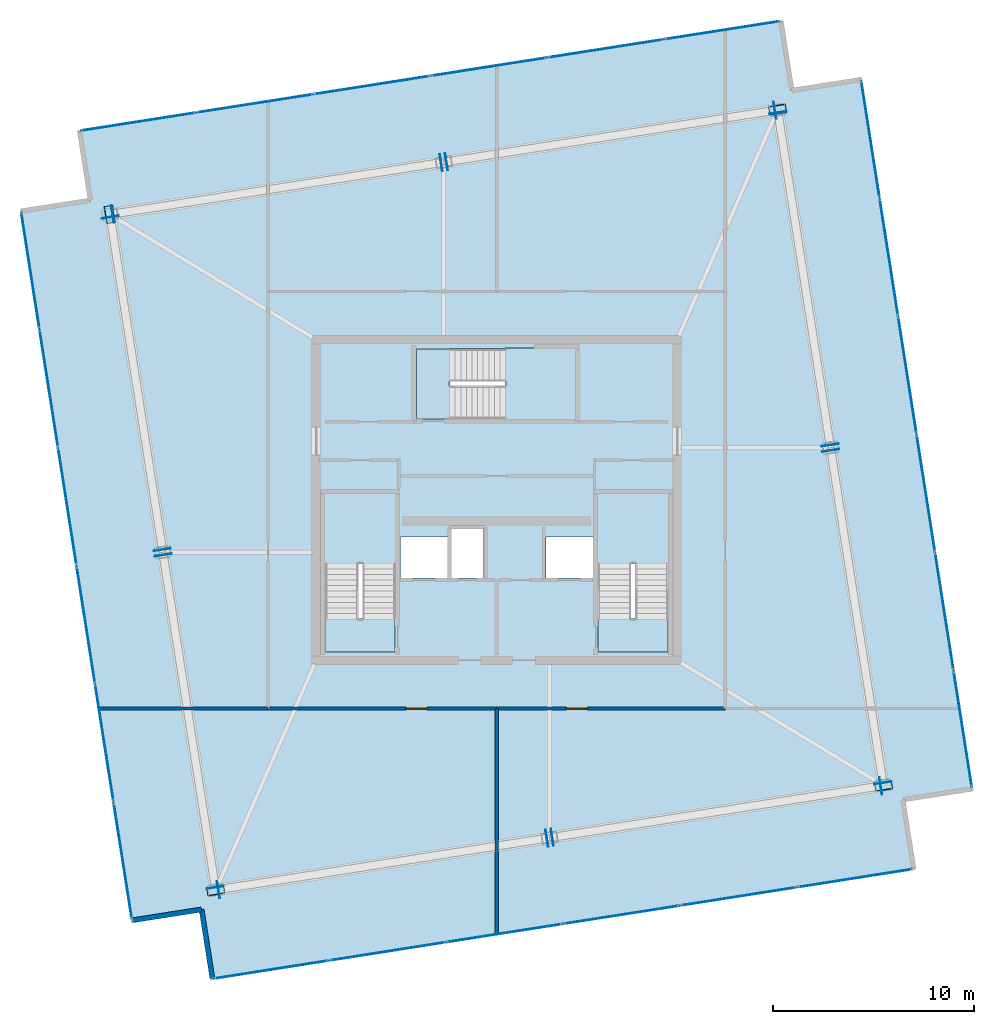
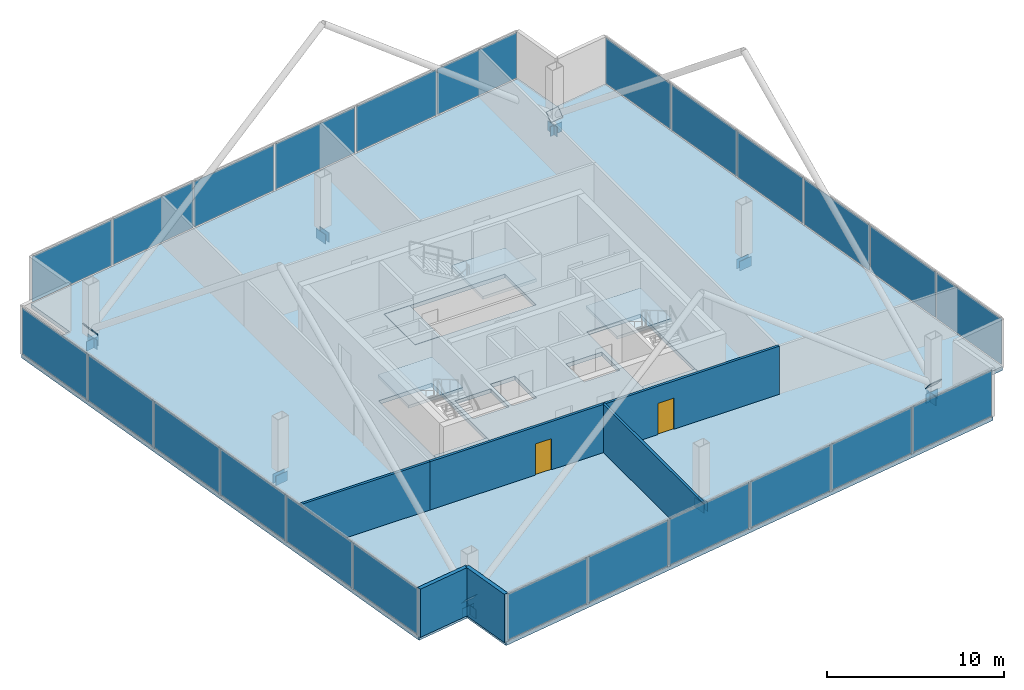
# One storey, part 18 of 21: 44 plates, 7 slabs, 5 walls, 2 doors, 2 openings, 7 elements without a shape of their own.
"""IFC4 building model written with IfcOpenShell, lengths in metres."""

from ifc_helpers import new_model, si_unit, direction, frame, frame_2d, origin, origin_2d, place, context, subcontext, project, spatial, polyline, rectangle, outline, extrude, source, transform, mapped, material, layer, layer_set, type_object, element, fill, aggregate, save


model = new_model("IFC4")

# Units and contexts
model_context = context("Model", 3, precision=1e-05, world=origin(), true_north=direction((0.0, 1.0)))
body_context = subcontext(model_context, "Body", "Model", "MODEL_VIEW")
ifc_project = project(units=[si_unit("LENGTHUNIT", "METRE"), si_unit("AREAUNIT", "SQUARE_METRE"), si_unit("VOLUMEUNIT", "CUBIC_METRE"), si_unit("PLANEANGLEUNIT", "RADIAN"), si_unit("MASSUNIT", "GRAM", prefix="KILO")], contexts=[model_context])

# Site, building, storey
site_placement = place(None, origin())
site = spatial("IfcSite", under=ifc_project, at=site_placement, CompositionType="ELEMENT")
building_placement = place(site_placement, origin())
building = spatial("IfcBuilding", under=site, at=building_placement, Name="Haldenkirk Collegiate Tower", CompositionType="ELEMENT")
storey_placement = place(building_placement, frame((0.0, 0.0, 360.60009765625)))
storey = spatial("IfcBuildingStorey", under=building, at=storey_placement, Name="L91", CompositionType="ELEMENT", Elevation=360.60009765625)

# Slab
ifc_material_1 = material(Name="Concrete f'c 40 MPa", Category="concrete")
ifc_layer_1 = layer(ifc_material_1, 0.27001953125)
ifc_layer_set_1 = layer_set([ifc_layer_1], Name="Concrete f'c 40 MPa")
slab_type_1 = type_object("IfcSlabType", Name="SLB-FLR-270", PredefinedType="FLOOR", material=ifc_layer_set_1)
slab_1_placement = place(storey_placement, frame((0.0, 0.0, -0.27001953125)))
element("IfcSlab", 1, at=slab_1_placement, inside=storey, type_object=slab_type_1, Name="L91 composite structural floor slab", PredefinedType="FLOOR", context=body_context, shape_type="SweptSolid", body=[
    extrude(outline(polyline([(59.714111328125, 11.595458984375), (54.17529296875, 46.96435546875), (50.717529296875, 46.4228515625), (50.176025390625, 49.880615234375), (15.202392578125, 44.404052734375), (15.743896484375, 40.946044921875), (12.285888671875, 40.404541015625), (17.82470703125, 5.03564453125), (21.282470703125, 5.5771484375), (21.823974609375, 2.119384765625), (56.797607421875, 7.595947265625), (56.256103515625, 11.053955078125), (59.714111328125, 11.595458984375)]), holes=[polyline([(27.449951171875, 18.39990234375), (30.949951171875, 18.39990234375), (30.949951171875, 26.300048828125), (27.449951171875, 26.300048828125), (27.449951171875, 18.39990234375)]), polyline([(41.050048828125, 18.39990234375), (44.550048828125, 18.39990234375), (44.550048828125, 26.300048828125), (41.050048828125, 26.300048828125), (41.050048828125, 18.39990234375)]), polyline([(32.0, 30.050048828125), (39.89990234375, 30.050048828125), (39.89990234375, 33.550048828125), (32.0, 33.550048828125), (32.0, 30.050048828125)]), polyline([(33.75, 22.10009765625), (35.35009765625, 22.10009765625), (35.35009765625, 24.550048828125), (33.75, 24.550048828125), (33.75, 22.10009765625)]), polyline([(31.199951171875, 22.10009765625), (33.550048828125, 22.10009765625), (33.550048828125, 24.14990234375), (31.199951171875, 24.14990234375), (31.199951171875, 22.10009765625)]), polyline([(38.449951171875, 22.10009765625), (40.800048828125, 22.10009765625), (40.800048828125, 24.14990234375), (38.449951171875, 24.14990234375), (38.449951171875, 22.10009765625)])]), origin(), (0.0, 0.0, 1.0), 0.27001953125),
])

# Stair, slab
stair_type = type_object("IfcStairType", Name="STR-DOGLEG-1650", PredefinedType="HALF_TURN_STAIR", material=ifc_material_1)
stair_1_placement = place(storey_placement, origin())
stair_1 = element("IfcStair", 2, at=stair_1_placement, inside=storey, type_object=stair_type, Name="L91 Core Exit Stair ST-1", PredefinedType="HALF_TURN_STAIR")
ifc_layer_2 = layer(ifc_material_1, 0.199951171875)
ifc_layer_set_2 = layer_set([ifc_layer_2], Name="Concrete f'c 40 MPa")
slab_type_2 = type_object("IfcSlabType", Name="SLB-LANDING-200", PredefinedType="LANDING", material=ifc_layer_set_2)
slab_2_placement = place(storey_placement, frame((0.0, 0.0, 1.599853515625)))
slab_2 = element("IfcSlab", 3, at=slab_2_placement, type_object=slab_type_2, Name="ST-1 landing 1", PredefinedType="LANDING", context=body_context, shape_type="SweptSolid", body=[
    extrude(outline(polyline([(30.97509765625, 22.824951171875), (27.425048828125, 22.824951171875), (27.425048828125, 26.324951171875), (30.97509765625, 26.324951171875), (30.97509765625, 22.824951171875)])), origin(), (0.0, 0.0, 1.0), 0.199951171875),
])
aggregate(stair_1, [slab_2])

stair_2_placement = place(storey_placement, origin())
stair_2 = element("IfcStair", 4, at=stair_2_placement, inside=storey, type_object=stair_type, Name="L91 Core Exit Stair ST-2", PredefinedType="HALF_TURN_STAIR")
slab_3_placement = place(storey_placement, frame((0.0, 0.0, 1.599853515625)))
slab_3 = element("IfcSlab", 5, at=slab_3_placement, type_object=slab_type_2, Name="ST-2 landing 1", PredefinedType="LANDING", context=body_context, shape_type="SweptSolid", body=[
    extrude(outline(polyline([(44.574951171875, 22.824951171875), (41.02490234375, 22.824951171875), (41.02490234375, 26.324951171875), (44.574951171875, 26.324951171875), (44.574951171875, 22.824951171875)])), origin(), (0.0, 0.0, 1.0), 0.199951171875),
])
aggregate(stair_2, [slab_3])

stair_3_placement = place(storey_placement, origin())
stair_3 = element("IfcStair", 6, at=stair_3_placement, inside=storey, type_object=stair_type, Name="L91 Core Exit Stair ST-3", PredefinedType="HALF_TURN_STAIR")
slab_4_placement = place(storey_placement, frame((0.0, 0.0, 1.599853515625)))
slab_4 = element("IfcSlab", 7, at=slab_4_placement, type_object=slab_type_2, Name="ST-3 landing 1", PredefinedType="LANDING", context=body_context, shape_type="SweptSolid", body=[
    extrude(outline(polyline([(36.425048828125, 30.02490234375), (36.425048828125, 33.574951171875), (39.925048828125, 33.574951171875), (39.925048828125, 30.02490234375), (36.425048828125, 30.02490234375)])), origin(), (0.0, 0.0, 1.0), 0.199951171875),
])
aggregate(stair_3, [slab_4])

# Slabs
ifc_layer_3 = layer(ifc_material_1, 0.25)
ifc_layer_set_3 = layer_set([ifc_layer_3], Name="Concrete f'c 40 MPa")
slab_type_3 = type_object("IfcSlabType", Name="SLB-STAIRLAND-250", PredefinedType="LANDING", material=ifc_layer_set_3)
slab_5_placement = place(storey_placement, frame((0.0, 0.0, -0.25)))
element("IfcSlab", 8, at=slab_5_placement, inside=storey, type_object=slab_type_3, Name="L91 stair ST1 structural floor landing slab", PredefinedType="LANDING", context=body_context, shape_type="SweptSolid", body=[
    extrude(outline(polyline([(27.4599609375, 18.409912109375), (30.93994140625, 18.409912109375), (30.93994140625, 20.080078125), (27.4599609375, 20.080078125), (27.4599609375, 18.409912109375)])), origin(), (0.0, 0.0, 1.0), 0.25),
])
slab_6_placement = place(storey_placement, frame((0.0, 0.0, -0.25)))
element("IfcSlab", 9, at=slab_6_placement, inside=storey, type_object=slab_type_3, Name="L91 stair ST2 structural floor landing slab", PredefinedType="LANDING", context=body_context, shape_type="SweptSolid", body=[
    extrude(outline(polyline([(41.06005859375, 18.409912109375), (44.5400390625, 18.409912109375), (44.5400390625, 20.080078125), (41.06005859375, 20.080078125), (41.06005859375, 18.409912109375)])), origin(), (0.0, 0.0, 1.0), 0.25),
])
slab_7_placement = place(storey_placement, frame((0.0, 0.0, -0.25)))
element("IfcSlab", 10, at=slab_7_placement, inside=storey, type_object=slab_type_3, Name="L91 stair ST3 structural floor landing slab", PredefinedType="LANDING", context=body_context, shape_type="SweptSolid", body=[
    extrude(outline(polyline([(32.010009765625, 30.06005859375), (33.679931640625, 30.06005859375), (33.679931640625, 33.5400390625), (32.010009765625, 33.5400390625), (32.010009765625, 30.06005859375)])), origin(), (0.0, 0.0, 1.0), 0.25),
])

# Plates
ifc_material_2 = material(Name="Steel ASTM A572 Grade 50", Category="steel")
ifc_layer_4 = layer(ifc_material_2, 0.034912109375)
ifc_layer_set_4 = layer_set([ifc_layer_4], Name="Steel ASTM A572 Grade 50")
plate_type_1 = type_object("IfcPlateType", Name="PLT-CAP-EXT-760X600", PredefinedType="USERDEFINED", material=ifc_layer_set_4)
shared_shape_1 = source(origin(), body_context, "Body", "SweptSolid", [
    extrude(rectangle(XDim=0.860107421875, YDim=0.659912109375, at=origin_2d()), origin(), (0.0, 0.0, 1.0), 0.034912109375),
])
for number, where, z_axis, x_axis, name in (
    (11, (55.26123046875, 11.913330078125, -0.670166015625), (0.154710964794, -0.987959775179, 0.0), (0.987959775179, 0.154710964794, 0.0), "L91 Crown Ring Frame perimeter girder 1 end cap plate 1"),
    (12, (52.6708984375, 28.45556640625, -0.670166015625), (-0.154710964794, 0.987959775179, 0.0), (-0.987959775179, -0.154710964794, 0.0), "L91 Crown Ring Frame perimeter girder 1 end cap plate 2"),
    (13, (52.62353515625, 28.758056640625, -0.670166015625), (0.154710964794, -0.987959775179, 0.0), (0.987959775179, 0.154710964794, 0.0), "L91 Crown Ring Frame perimeter girder 2 end cap plate 1"),
    (14, (50.032958984375, 45.30029296875, -0.670166015625), (-0.154710964794, 0.987959775179, 0.0), (-0.987959775179, -0.154710964794, 0.0), "L91 Crown Ring Frame perimeter girder 2 end cap plate 2"),
    (15, (49.858154296875, 45.427978515625, -0.670166015625), (0.987959445545, 0.154713069772, 0.0), (-0.154713069772, 0.987959445545, 0.0), "L91 Crown Ring Frame perimeter girder 3 end cap plate 1"),
    (16, (33.513427734375, 42.868408203125, -0.670166015625), (-0.987959445545, -0.154713069772, 0.0), (0.154713069772, -0.987959445545, 0.0), "L91 Crown Ring Frame perimeter girder 3 end cap plate 2"),
    (17, (33.2109375, 42.821044921875, -0.670166015625), (0.987959445545, 0.154713069772, 0.0), (-0.154713069772, 0.987959445545, 0.0), "L91 Crown Ring Frame perimeter girder 4 end cap plate 1"),
    (18, (16.866455078125, 40.261474609375, -0.670166015625), (-0.987959445545, -0.154713069772, 0.0), (0.154713069772, -0.987959445545, 0.0), "L91 Crown Ring Frame perimeter girder 4 end cap plate 2"),
    (19, (16.73876953125, 40.086669921875, -0.670166015625), (-0.154710964794, 0.987959775179, 0.0), (-0.987959775179, -0.154710964794, 0.0), "L91 Crown Ring Frame perimeter girder 5 end cap plate 1"),
    (20, (19.3291015625, 23.54443359375, -0.670166015625), (0.154710964794, -0.987959775179, 0.0), (0.987959775179, 0.154710964794, 0.0), "L91 Crown Ring Frame perimeter girder 5 end cap plate 2"),
    (21, (19.37646484375, 23.241943359375, -0.670166015625), (-0.154710964794, 0.987959775179, 0.0), (-0.987959775179, -0.154710964794, 0.0), "L91 Crown Ring Frame perimeter girder 6 end cap plate 1"),
    (22, (21.967041015625, 6.69970703125, -0.670166015625), (0.154710964794, -0.987959775179, 0.0), (0.987959775179, 0.154710964794, 0.0), "L91 Crown Ring Frame perimeter girder 6 end cap plate 2"),
    (23, (22.141845703125, 6.572021484375, -0.670166015625), (-0.987959445545, -0.154713069772, 0.0), (0.154713069772, -0.987959445545, 0.0), "L91 Crown Ring Frame perimeter girder 7 end cap plate 1"),
    (24, (38.486572265625, 9.131591796875, -0.670166015625), (0.987959445545, 0.154713069772, 0.0), (-0.154713069772, 0.987959445545, 0.0), "L91 Crown Ring Frame perimeter girder 7 end cap plate 2"),
    (25, (38.7890625, 9.178955078125, -0.670166015625), (-0.987959445545, -0.154713069772, 0.0), (0.154713069772, -0.987959445545, 0.0), "L91 Crown Ring Frame perimeter girder 8 end cap plate 1"),
    (26, (55.133544921875, 11.738525390625, -0.670166015625), (0.987959445545, 0.154713069772, 0.0), (-0.154713069772, 0.987959445545, 0.0), "L91 Crown Ring Frame perimeter girder 8 end cap plate 2"),
    (27, (55.284423828125, 11.764404296875, 0.251708984375), (0.120600972241, -0.770142822737, -0.626366855829), (0.987959911091, 0.154710096881, 8.7961e-08), "Crown Ring Frame diagonal brace S1 end cap plate 1"),
    (28, (50.009765625, 45.449462890625, 0.251708984375), (-0.120600972241, 0.770142822737, -0.626366855829), (-0.987959911091, -0.154710096881, 8.7961e-08), "Crown Ring Frame diagonal brace S2 end cap plate 1"),
    (29, (16.717529296875, 40.23828125, 0.251708984375), (-0.766560067851, -0.120042010625, -0.630853055839), (0.154712449547, -0.987959542671, 4.18634e-07), "Crown Ring Frame diagonal brace E2 end cap plate 1"),
    (30, (21.990234375, 6.550537109375, 0.251708984375), (0.120600972241, -0.770142822737, -0.626366855829), (0.987959911091, 0.154710096881, 8.7961e-08), "Crown Ring Frame diagonal brace N2 end cap plate 1"),
):
    element("IfcPlate", number, at=place(storey_placement, frame(where, z_axis=z_axis, x_axis=x_axis)), inside=storey, type_object=plate_type_1, Name=name, ObjectType="END CAP PLATE", PredefinedType="USERDEFINED", context=body_context, shape_type="MappedRepresentation", body=[
        mapped(shared_shape_1, transform((0.0, 0.0, 0.0), x_axis=(1.0, 0.0, 0.0), y_axis=(0.0, 1.0, 0.0), z_axis=(0.0, 0.0, 1.0), scale=1.0)),
    ])

# Curtain wall, plates
ifc_material_3 = material(Name="Anodised architectural bronze aluminium", Category="aluminium")
curtain_wall_type = type_object("IfcCurtainWallType", Name="CW-SYS6-CROWN", PredefinedType="USERDEFINED", material=ifc_material_3)
curtain_wall_1_placement = place(storey_placement, origin())
curtain_wall_1 = element("IfcCurtainWall", 31, at=curtain_wall_1_placement, inside=storey, type_object=curtain_wall_type, Name="L91 Closed crown ring ceramic-fritted bronze screen curtain wall", ObjectType="UNITISED CURTAIN WALL", PredefinedType="USERDEFINED")
ifc_material_4 = material(Name="Ceramic-fritted bronze triple glass", Category="glass")
ifc_layer_5 = layer(ifc_material_4, 0.0400390625)
ifc_layer_set_5 = layer_set([ifc_layer_5], Name="Ceramic-fritted bronze triple glass")
plate_type_2 = type_object("IfcPlateType", Name="CW-PNL-06", PredefinedType="CURTAIN_PANEL", material=ifc_layer_set_5)
shared_shape_2 = source(origin(), body_context, "Body", "SweptSolid", [
    extrude(rectangle(XDim=5.83154296875, YDim=0.0400390625, at=origin_2d()), origin(), (0.0, 0.0, 1.0), 3.14990234375),
])
plate_1_placement = place(storey_placement, frame((54.640380859375, 43.99462890625, 0.08984375), z_axis=(0.0, 0.0, 1.0), x_axis=(0.154712514742, -0.987959532462, 0.0)))
plate_1 = element("IfcPlate", 32, at=plate_1_placement, type_object=plate_type_2, Name="CW-06 panel 1.1", PredefinedType="CURTAIN_PANEL", context=body_context, shape_type="MappedRepresentation", body=[
    mapped(shared_shape_2, transform((0.0, 0.0, 0.0), x_axis=(1.0, 0.0, 0.0), y_axis=(0.0, 1.0, 0.0), z_axis=(0.0, 0.0, 1.0), scale=1.0)),
])
plate_2_placement = place(storey_placement, frame((59.2490234375, 14.56494140625, 0.08984375), z_axis=(0.0, 0.0, 1.0), x_axis=(0.154712514742, -0.987959532462, 0.0)))
plate_2 = element("IfcPlate", 33, at=plate_2_placement, type_object=plate_type_2, Name="CW-06 panel 6.1", PredefinedType="CURTAIN_PANEL", context=body_context, shape_type="MappedRepresentation", body=[
    mapped(shared_shape_2, transform((0.0, 0.0, 0.0), x_axis=(1.0, 0.0, 0.0), y_axis=(0.0, 1.0, 0.0), z_axis=(0.0, 0.0, 1.0), scale=1.0)),
])

curtain_wall_2_placement = place(storey_placement, origin())
curtain_wall_2 = element("IfcCurtainWall", 34, at=curtain_wall_2_placement, inside=storey, type_object=curtain_wall_type, Name="L91 Closed crown ring ceramic-fritted bronze screen curtain wall", ObjectType="UNITISED CURTAIN WALL", PredefinedType="USERDEFINED")
plate_3_placement = place(storey_placement, frame((17.359619140625, 8.00537109375, 0.08984375), z_axis=(0.0, 0.0, 1.0), x_axis=(-0.154712514742, 0.987959532462, 0.0)))
plate_3 = element("IfcPlate", 35, at=plate_3_placement, type_object=plate_type_2, Name="CW-06 panel 1.1", PredefinedType="CURTAIN_PANEL", context=body_context, shape_type="MappedRepresentation", body=[
    mapped(shared_shape_2, transform((0.0, 0.0, 0.0), x_axis=(1.0, 0.0, 0.0), y_axis=(0.0, 1.0, 0.0), z_axis=(0.0, 0.0, 1.0), scale=1.0)),
])
plate_4_placement = place(storey_placement, frame((12.7509765625, 37.43505859375, 0.08984375), z_axis=(0.0, 0.0, 1.0), x_axis=(-0.154712514742, 0.987959532462, 0.0)))
plate_4 = element("IfcPlate", 36, at=plate_4_placement, type_object=plate_type_2, Name="CW-06 panel 6.1", PredefinedType="CURTAIN_PANEL", context=body_context, shape_type="MappedRepresentation", body=[
    mapped(shared_shape_2, transform((0.0, 0.0, 0.0), x_axis=(1.0, 0.0, 0.0), y_axis=(0.0, 1.0, 0.0), z_axis=(0.0, 0.0, 1.0), scale=1.0)),
])

# Plate
shared_shape_3 = source(origin(), body_context, "Body", "SweptSolid", [
    extrude(rectangle(XDim=5.876708984375, YDim=0.0400390625, at=origin_2d()), origin(), (0.0, 0.0, 1.0), 3.14990234375),
])
plate_5_placement = place(storey_placement, frame((55.56005859375, 38.1220703125, 0.08984375), z_axis=(0.0, 0.0, 1.0), x_axis=(0.154712514742, -0.987959532462, 0.0)))
plate_5 = element("IfcPlate", 37, at=plate_5_placement, type_object=plate_type_2, Name="CW-06 panel 2.1", PredefinedType="CURTAIN_PANEL", context=body_context, shape_type="MappedRepresentation", body=[
    mapped(shared_shape_3, transform((0.0, 0.0, 0.0), x_axis=(1.0, 0.0, 0.0), y_axis=(0.0, 1.0, 0.0), z_axis=(0.0, 0.0, 1.0), scale=1.0)),
])

plate_6_placement = place(storey_placement, frame((56.483154296875, 32.227294921875, 0.08984375), z_axis=(0.0, 0.0, 1.0), x_axis=(0.154712514742, -0.987959532462, 0.0)))
plate_6 = element("IfcPlate", 38, at=plate_6_placement, type_object=plate_type_2, Name="CW-06 panel 3.1", PredefinedType="CURTAIN_PANEL", context=body_context, shape_type="MappedRepresentation", body=[
    mapped(shared_shape_3, transform((0.0, 0.0, 0.0), x_axis=(1.0, 0.0, 0.0), y_axis=(0.0, 1.0, 0.0), z_axis=(0.0, 0.0, 1.0), scale=1.0)),
])

plate_7_placement = place(storey_placement, frame((57.40625, 26.33251953125, 0.08984375), z_axis=(0.0, 0.0, 1.0), x_axis=(0.154712514742, -0.987959532462, 0.0)))
plate_7 = element("IfcPlate", 39, at=plate_7_placement, type_object=plate_type_2, Name="CW-06 panel 4.1", PredefinedType="CURTAIN_PANEL", context=body_context, shape_type="MappedRepresentation", body=[
    mapped(shared_shape_3, transform((0.0, 0.0, 0.0), x_axis=(1.0, 0.0, 0.0), y_axis=(0.0, 1.0, 0.0), z_axis=(0.0, 0.0, 1.0), scale=1.0)),
])

plate_8_placement = place(storey_placement, frame((58.329345703125, 20.437744140625, 0.08984375), z_axis=(0.0, 0.0, 1.0), x_axis=(0.154712514742, -0.987959532462, 0.0)))
plate_8 = element("IfcPlate", 40, at=plate_8_placement, type_object=plate_type_2, Name="CW-06 panel 5.1", PredefinedType="CURTAIN_PANEL", context=body_context, shape_type="MappedRepresentation", body=[
    mapped(shared_shape_3, transform((0.0, 0.0, 0.0), x_axis=(1.0, 0.0, 0.0), y_axis=(0.0, 1.0, 0.0), z_axis=(0.0, 0.0, 1.0), scale=1.0)),
])

aggregate(curtain_wall_1, [plate_1, plate_5, plate_6, plate_7, plate_8, plate_2])

plate_9_placement = place(storey_placement, frame((16.43994140625, 13.8779296875, 0.08984375), z_axis=(0.0, 0.0, 1.0), x_axis=(-0.154712514742, 0.987959532462, 0.0)))
plate_9 = element("IfcPlate", 41, at=plate_9_placement, type_object=plate_type_2, Name="CW-06 panel 2.1", PredefinedType="CURTAIN_PANEL", context=body_context, shape_type="MappedRepresentation", body=[
    mapped(shared_shape_3, transform((0.0, 0.0, 0.0), x_axis=(1.0, 0.0, 0.0), y_axis=(0.0, 1.0, 0.0), z_axis=(0.0, 0.0, 1.0), scale=1.0)),
])

plate_10_placement = place(storey_placement, frame((15.516845703125, 19.772705078125, 0.08984375), z_axis=(0.0, 0.0, 1.0), x_axis=(-0.154712514742, 0.987959532462, 0.0)))
plate_10 = element("IfcPlate", 42, at=plate_10_placement, type_object=plate_type_2, Name="CW-06 panel 3.1", PredefinedType="CURTAIN_PANEL", context=body_context, shape_type="MappedRepresentation", body=[
    mapped(shared_shape_3, transform((0.0, 0.0, 0.0), x_axis=(1.0, 0.0, 0.0), y_axis=(0.0, 1.0, 0.0), z_axis=(0.0, 0.0, 1.0), scale=1.0)),
])

plate_11_placement = place(storey_placement, frame((14.59375, 25.66748046875, 0.08984375), z_axis=(0.0, 0.0, 1.0), x_axis=(-0.154712514742, 0.987959532462, 0.0)))
plate_11 = element("IfcPlate", 43, at=plate_11_placement, type_object=plate_type_2, Name="CW-06 panel 4.1", PredefinedType="CURTAIN_PANEL", context=body_context, shape_type="MappedRepresentation", body=[
    mapped(shared_shape_3, transform((0.0, 0.0, 0.0), x_axis=(1.0, 0.0, 0.0), y_axis=(0.0, 1.0, 0.0), z_axis=(0.0, 0.0, 1.0), scale=1.0)),
])

plate_12_placement = place(storey_placement, frame((13.670654296875, 31.562255859375, 0.08984375), z_axis=(0.0, 0.0, 1.0), x_axis=(-0.154712514742, 0.987959532462, 0.0)))
plate_12 = element("IfcPlate", 44, at=plate_12_placement, type_object=plate_type_2, Name="CW-06 panel 5.1", PredefinedType="CURTAIN_PANEL", context=body_context, shape_type="MappedRepresentation", body=[
    mapped(shared_shape_3, transform((0.0, 0.0, 0.0), x_axis=(1.0, 0.0, 0.0), y_axis=(0.0, 1.0, 0.0), z_axis=(0.0, 0.0, 1.0), scale=1.0)),
])

aggregate(curtain_wall_2, [plate_3, plate_9, plate_10, plate_11, plate_12, plate_4])

# Curtain wall, plates
curtain_wall_3_placement = place(storey_placement, origin())
curtain_wall_3 = element("IfcCurtainWall", 45, at=curtain_wall_3_placement, inside=storey, type_object=curtain_wall_type, Name="L91 Closed crown ring ceramic-fritted bronze screen curtain wall", ObjectType="UNITISED CURTAIN WALL", PredefinedType="USERDEFINED")
shared_shape_4 = source(origin(), body_context, "Body", "SweptSolid", [
    extrude(rectangle(XDim=5.764892578125, YDim=0.0400390625, at=origin_2d()), origin(), (0.0, 0.0, 1.0), 3.14990234375),
])
plate_13_placement = place(storey_placement, frame((18.138916015625, 44.86376953125, 0.08984375), z_axis=(0.0, 0.0, 1.0), x_axis=(0.987960085646, 0.154708982189, 0.0)))
plate_13 = element("IfcPlate", 46, at=plate_13_placement, type_object=plate_type_2, Name="CW-06 panel 1.1", PredefinedType="CURTAIN_PANEL", context=body_context, shape_type="MappedRepresentation", body=[
    mapped(shared_shape_4, transform((0.0, 0.0, 0.0), x_axis=(1.0, 0.0, 0.0), y_axis=(0.0, 1.0, 0.0), z_axis=(0.0, 0.0, 1.0), scale=1.0)),
])
plate_14_placement = place(storey_placement, frame((47.239501953125, 49.4208984375, 0.08984375), z_axis=(0.0, 0.0, 1.0), x_axis=(0.987960085646, 0.154708982189, 0.0)))
plate_14 = element("IfcPlate", 47, at=plate_14_placement, type_object=plate_type_2, Name="CW-06 panel 6.1", PredefinedType="CURTAIN_PANEL", context=body_context, shape_type="MappedRepresentation", body=[
    mapped(shared_shape_4, transform((0.0, 0.0, 0.0), x_axis=(1.0, 0.0, 0.0), y_axis=(0.0, 1.0, 0.0), z_axis=(0.0, 0.0, 1.0), scale=1.0)),
])

curtain_wall_4_placement = place(storey_placement, origin())
curtain_wall_4 = element("IfcCurtainWall", 48, at=curtain_wall_4_placement, inside=storey, type_object=curtain_wall_type, Name="L91 Closed crown ring ceramic-fritted bronze screen curtain wall", ObjectType="UNITISED CURTAIN WALL", PredefinedType="USERDEFINED")
plate_15_placement = place(storey_placement, frame((53.861083984375, 7.13623046875, 0.08984375), z_axis=(0.0, 0.0, 1.0), x_axis=(-0.987960085646, -0.154708982189, 0.0)))
plate_15 = element("IfcPlate", 49, at=plate_15_placement, type_object=plate_type_2, Name="CW-06 panel 1.1", PredefinedType="CURTAIN_PANEL", context=body_context, shape_type="MappedRepresentation", body=[
    mapped(shared_shape_4, transform((0.0, 0.0, 0.0), x_axis=(1.0, 0.0, 0.0), y_axis=(0.0, 1.0, 0.0), z_axis=(0.0, 0.0, 1.0), scale=1.0)),
])
plate_16_placement = place(storey_placement, frame((24.760498046875, 2.5791015625, 0.08984375), z_axis=(0.0, 0.0, 1.0), x_axis=(-0.987960085646, -0.154708982189, 0.0)))
plate_16 = element("IfcPlate", 50, at=plate_16_placement, type_object=plate_type_2, Name="CW-06 panel 6.1", PredefinedType="CURTAIN_PANEL", context=body_context, shape_type="MappedRepresentation", body=[
    mapped(shared_shape_4, transform((0.0, 0.0, 0.0), x_axis=(1.0, 0.0, 0.0), y_axis=(0.0, 1.0, 0.0), z_axis=(0.0, 0.0, 1.0), scale=1.0)),
])

# Plate
shared_shape_5 = source(origin(), body_context, "Body", "SweptSolid", [
    extrude(rectangle(XDim=5.81005859375, YDim=0.0400390625, at=origin_2d()), origin(), (0.0, 0.0, 1.0), 3.14990234375),
])
plate_17_placement = place(storey_placement, frame((23.94580078125, 45.773193359375, 0.08984375), z_axis=(0.0, 0.0, 1.0), x_axis=(0.987960085646, 0.154708982189, 0.0)))
plate_17 = element("IfcPlate", 51, at=plate_17_placement, type_object=plate_type_2, Name="CW-06 panel 2.1", PredefinedType="CURTAIN_PANEL", context=body_context, shape_type="MappedRepresentation", body=[
    mapped(shared_shape_5, transform((0.0, 0.0, 0.0), x_axis=(1.0, 0.0, 0.0), y_axis=(0.0, 1.0, 0.0), z_axis=(0.0, 0.0, 1.0), scale=1.0)),
])

plate_18_placement = place(storey_placement, frame((29.774658203125, 46.68603515625, 0.08984375), z_axis=(0.0, 0.0, 1.0), x_axis=(0.987960085646, 0.154708982189, 0.0)))
plate_18 = element("IfcPlate", 52, at=plate_18_placement, type_object=plate_type_2, Name="CW-06 panel 3.1", PredefinedType="CURTAIN_PANEL", context=body_context, shape_type="MappedRepresentation", body=[
    mapped(shared_shape_5, transform((0.0, 0.0, 0.0), x_axis=(1.0, 0.0, 0.0), y_axis=(0.0, 1.0, 0.0), z_axis=(0.0, 0.0, 1.0), scale=1.0)),
])

plate_19_placement = place(storey_placement, frame((35.603759765625, 47.5986328125, 0.08984375), z_axis=(0.0, 0.0, 1.0), x_axis=(0.987960085646, 0.154708982189, 0.0)))
plate_19 = element("IfcPlate", 53, at=plate_19_placement, type_object=plate_type_2, Name="CW-06 panel 4.1", PredefinedType="CURTAIN_PANEL", context=body_context, shape_type="MappedRepresentation", body=[
    mapped(shared_shape_5, transform((0.0, 0.0, 0.0), x_axis=(1.0, 0.0, 0.0), y_axis=(0.0, 1.0, 0.0), z_axis=(0.0, 0.0, 1.0), scale=1.0)),
])

plate_20_placement = place(storey_placement, frame((41.4326171875, 48.511474609375, 0.08984375), z_axis=(0.0, 0.0, 1.0), x_axis=(0.987960085646, 0.154708982189, 0.0)))
plate_20 = element("IfcPlate", 54, at=plate_20_placement, type_object=plate_type_2, Name="CW-06 panel 5.1", PredefinedType="CURTAIN_PANEL", context=body_context, shape_type="MappedRepresentation", body=[
    mapped(shared_shape_5, transform((0.0, 0.0, 0.0), x_axis=(1.0, 0.0, 0.0), y_axis=(0.0, 1.0, 0.0), z_axis=(0.0, 0.0, 1.0), scale=1.0)),
])

aggregate(curtain_wall_3, [plate_13, plate_17, plate_18, plate_19, plate_20, plate_14])

plate_21_placement = place(storey_placement, frame((48.05419921875, 6.226806640625, 0.08984375), z_axis=(0.0, 0.0, 1.0), x_axis=(-0.987960085646, -0.154708982189, 0.0)))
plate_21 = element("IfcPlate", 55, at=plate_21_placement, type_object=plate_type_2, Name="CW-06 panel 2.1", PredefinedType="CURTAIN_PANEL", context=body_context, shape_type="MappedRepresentation", body=[
    mapped(shared_shape_5, transform((0.0, 0.0, 0.0), x_axis=(1.0, 0.0, 0.0), y_axis=(0.0, 1.0, 0.0), z_axis=(0.0, 0.0, 1.0), scale=1.0)),
])

plate_22_placement = place(storey_placement, frame((42.225341796875, 5.31396484375, 0.08984375), z_axis=(0.0, 0.0, 1.0), x_axis=(-0.987960085646, -0.154708982189, 0.0)))
plate_22 = element("IfcPlate", 56, at=plate_22_placement, type_object=plate_type_2, Name="CW-06 panel 3.1", PredefinedType="CURTAIN_PANEL", context=body_context, shape_type="MappedRepresentation", body=[
    mapped(shared_shape_5, transform((0.0, 0.0, 0.0), x_axis=(1.0, 0.0, 0.0), y_axis=(0.0, 1.0, 0.0), z_axis=(0.0, 0.0, 1.0), scale=1.0)),
])

plate_23_placement = place(storey_placement, frame((36.396240234375, 4.4013671875, 0.08984375), z_axis=(0.0, 0.0, 1.0), x_axis=(-0.987960085646, -0.154708982189, 0.0)))
plate_23 = element("IfcPlate", 57, at=plate_23_placement, type_object=plate_type_2, Name="CW-06 panel 4.1", PredefinedType="CURTAIN_PANEL", context=body_context, shape_type="MappedRepresentation", body=[
    mapped(shared_shape_5, transform((0.0, 0.0, 0.0), x_axis=(1.0, 0.0, 0.0), y_axis=(0.0, 1.0, 0.0), z_axis=(0.0, 0.0, 1.0), scale=1.0)),
])

plate_24_placement = place(storey_placement, frame((30.5673828125, 3.488525390625, 0.08984375), z_axis=(0.0, 0.0, 1.0), x_axis=(-0.987960085646, -0.154708982189, 0.0)))
plate_24 = element("IfcPlate", 58, at=plate_24_placement, type_object=plate_type_2, Name="CW-06 panel 5.1", PredefinedType="CURTAIN_PANEL", context=body_context, shape_type="MappedRepresentation", body=[
    mapped(shared_shape_5, transform((0.0, 0.0, 0.0), x_axis=(1.0, 0.0, 0.0), y_axis=(0.0, 1.0, 0.0), z_axis=(0.0, 0.0, 1.0), scale=1.0)),
])

aggregate(curtain_wall_4, [plate_15, plate_21, plate_22, plate_23, plate_24, plate_16])

# Walls
ifc_material_5 = material(Name="Precast concrete f'c 40 MPa", Category="concrete")
ifc_layer_6 = layer(ifc_material_5, 0.25)
ifc_layer_set_6 = layer_set([ifc_layer_6], Name="Precast concrete f'c 40 MPa")
wall_type_1 = type_object("IfcWallType", Name="WL-EXT-CRN-250", PredefinedType="STANDARD", material=ifc_layer_set_6)
for number, where, z_axis, x_axis, name in (
    (59, (21.282470703125, 5.5771484375, 0.0), (0.0, 0.0, 1.0), (-0.987958443543, -0.154719468176, 0.0), "L91 crown bronze precast enclosure wall 08"),
    (60, (21.823974609375, 2.119384765625, 0.0), (0.0, 0.0, 1.0), (-0.154719468176, 0.987958443543, 0.0), "L91 crown bronze precast enclosure wall 09"),
):
    element("IfcWall", number, at=place(storey_placement, frame(where, z_axis=z_axis, x_axis=x_axis)), inside=storey, type_object=wall_type_1, Name=name, PredefinedType="STANDARD", context=body_context, shape_type="SweptSolid", body=[
        extrude(rectangle(XDim=3.5, YDim=0.25, at=frame_2d((1.75, 0.0))), origin(), (0.0, 0.0, 1.0), 3.329833984375),
    ])

# Wall, openings, doors
ifc_material_6 = material(Name="Acoustic fire-rated gypsum partition", Category="concrete")
ifc_layer_7 = layer(ifc_material_6, 0.159912109375)
ifc_layer_set_7 = layer_set([ifc_layer_7], Name="Acoustic fire-rated gypsum partition")
wall_type_2 = type_object("IfcWallType", Name="WL-INT-CORR-160", PredefinedType="PARTITIONING", material=ifc_layer_set_7)
wall_1_placement = place(storey_placement, frame((24.60009765625, 15.60009765625, 0.0), z_axis=(0.0, 0.0, 1.0), x_axis=(1.0, 0.0, 0.0)))
wall_1 = element("IfcWall", 61, at=wall_1_placement, inside=storey, type_object=wall_type_2, Name="L91 interior partition IW-L91-CS", PredefinedType="PARTITIONING", context=body_context, shape_type="SweptSolid", body=[
    extrude(rectangle(XDim=22.7998046875, YDim=0.159912109375, at=frame_2d((11.39990234375, 0.0))), origin(), (0.0, 0.0, 1.0), 3.329833984375),
])
opening_1_placement = place(wall_1_placement, frame((6.875, 0.0, 0.0)))
opening_1 = element("IfcOpeningElement", 62, at=opening_1_placement, cuts=wall_1, Name="Opening D-09", PredefinedType="OPENING", context=body_context, shape_type="SweptSolid", body=[
    extrude(rectangle(XDim=1.050048828125, YDim=2.14990234375, at=frame_2d((0.52490234375, 1.074951171875))), frame((0.0, 0.08984375, 0.0), z_axis=(0.0, -1.0, 0.0), x_axis=(1.0, 0.0, 0.0)), (0.0, 0.0, 1.0), 0.179931640625),
])
opening_2_placement = place(wall_1_placement, frame((14.875, 0.0, 0.0)))
opening_2 = element("IfcOpeningElement", 63, at=opening_2_placement, cuts=wall_1, Name="Opening D-09", PredefinedType="OPENING", context=body_context, shape_type="SweptSolid", body=[
    extrude(rectangle(XDim=1.050048828125, YDim=2.14990234375, at=frame_2d((0.52490234375, 1.074951171875))), frame((0.0, 0.08984375, 0.0), z_axis=(0.0, -1.0, 0.0), x_axis=(1.0, 0.0, 0.0)), (0.0, 0.0, 1.0), 0.179931640625),
])
ifc_material_7 = material(Name="Solid-core architectural oak fire door", Category="wood")
ifc_layer_8 = layer(ifc_material_7, 0.06005859375)
ifc_layer_set_8 = layer_set([ifc_layer_8], Name="Solid-core architectural oak fire door")
door_type = type_object("IfcDoorType", Name="DR-INT-FD60-1050", OperationType="NOTDEFINED", PredefinedType="DOOR", material=ifc_layer_set_8)
door_1_placement = place(opening_1_placement, origin())
door_1 = element("IfcDoor", 64, at=door_1_placement, inside=storey, type_object=door_type, Name="L91 crown SW plant door", OperationType="SINGLE_SWING_RIGHT", OverallHeight=2.14990234375, OverallWidth=1.050048828125, PredefinedType="DOOR", context=body_context, shape_type="SweptSolid", body=[
    extrude(rectangle(XDim=1.050048828125, YDim=2.14990234375, at=frame_2d((0.52490234375, 1.074951171875))), frame((0.0, 0.02490234375, 0.0), z_axis=(0.0, -1.0, 0.0), x_axis=(1.0, 0.0, 0.0)), (0.0, 0.0, 1.0), 0.050048828125),
])
fill(opening_1, door_1)
door_2_placement = place(opening_2_placement, origin())
door_2 = element("IfcDoor", 65, at=door_2_placement, inside=storey, type_object=door_type, Name="L91 crown SE plant door", OperationType="SINGLE_SWING_LEFT", OverallHeight=2.14990234375, OverallWidth=1.050048828125, PredefinedType="DOOR", context=body_context, shape_type="SweptSolid", body=[
    extrude(rectangle(XDim=1.050048828125, YDim=2.14990234375, at=frame_2d((0.52490234375, 1.074951171875))), frame((0.0, 0.02490234375, 0.0), z_axis=(0.0, -1.0, 0.0), x_axis=(1.0, 0.0, 0.0)), (0.0, 0.0, 1.0), 0.050048828125),
])
fill(opening_2, door_2)

# Walls
wall_2_placement = place(storey_placement, frame((36.0, 4.379638671875, 0.0), z_axis=(0.0, 0.0, 1.0), x_axis=(0.0, 1.0, 0.0)))
element("IfcWall", 66, at=wall_2_placement, inside=storey, type_object=wall_type_2, Name="L91 interior partition IW-L91-D1", PredefinedType="PARTITIONING", context=body_context, shape_type="SweptSolid", body=[
    extrude(rectangle(XDim=11.220458984375, YDim=0.159912109375, at=frame_2d((5.6103515625, 0.0))), origin(), (0.0, 0.0, 1.0), 3.329833984375),
])
wall_3_placement = place(storey_placement, frame((16.210693359375, 15.60009765625, 0.0), z_axis=(0.0, 0.0, 1.0), x_axis=(1.0, 0.0, 0.0)))
element("IfcWall", 67, at=wall_3_placement, inside=storey, type_object=wall_type_2, Name="L91 interior partition IW-L91-D3", PredefinedType="PARTITIONING", context=body_context, shape_type="SweptSolid", body=[
    extrude(rectangle(XDim=8.389404296875, YDim=0.159912109375, at=frame_2d((4.19482421875, 0.0))), origin(), (0.0, 0.0, 1.0), 3.329833984375),
])

save(model, "model.ifc")
